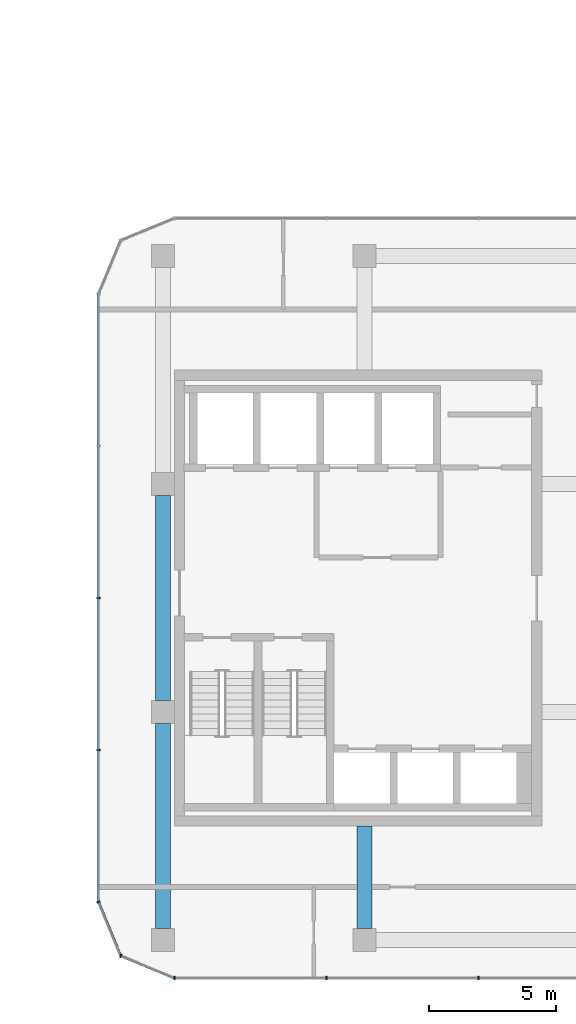
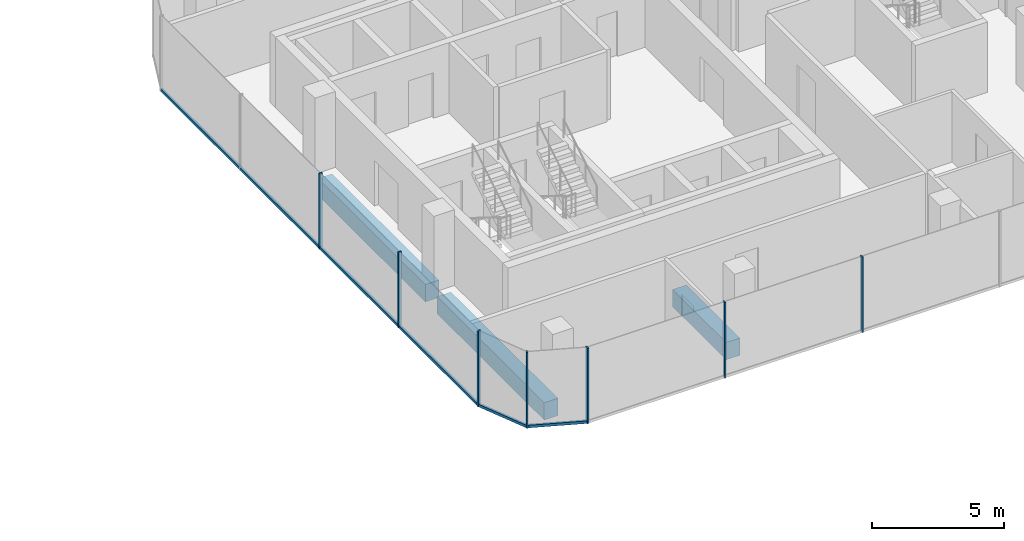
# One storey, part 7 of 23: 10 members, 3 beams, 4 elements without a shape of their own.
"""IFC4 building model written with IfcOpenShell, lengths in metres."""

from ifc_helpers import new_model, si_unit, direction, frame, origin, origin_2d, place, context, subcontext, project, spatial, rectangle, extrude, material, layer, layer_set, material_profile, profile_set, type_object, element, aggregate, save


model = new_model("IFC4")

# Units and contexts
model_context = context("Model", 3, precision=1e-05, world=origin(), true_north=direction((0.0, 1.0)))
body_context = subcontext(model_context, "Body", "Model", "MODEL_VIEW")
ifc_project = project(units=[si_unit("LENGTHUNIT", "METRE"), si_unit("AREAUNIT", "SQUARE_METRE"), si_unit("VOLUMEUNIT", "CUBIC_METRE"), si_unit("PLANEANGLEUNIT", "RADIAN"), si_unit("MASSUNIT", "GRAM", prefix="KILO")], contexts=[model_context])

# Site, building, storey
site_placement = place(None, origin())
site = spatial("IfcSite", under=ifc_project, at=site_placement, CompositionType="ELEMENT")
building_placement = place(site_placement, origin())
building = spatial("IfcBuilding", under=site, at=building_placement, Name="Plateau Cross Towers", CompositionType="ELEMENT")
storey_placement = place(building_placement, frame((0.0, 0.0, 92.300048828125)))
storey = spatial("IfcBuildingStorey", under=building, at=storey_placement, Name="L23", CompositionType="ELEMENT", Elevation=92.300048828125)

# Beam
ifc_material_1 = material(Name="Concrete C60/75", Category="concrete")
ifc_material_profile_1 = material_profile(ifc_material_1, rectangle(XDim=0.60009765625, YDim=0.800048828125, at=origin_2d()), Name="RC 600x800")
ifc_profile_set_1 = profile_set([ifc_material_profile_1], Name="Concrete C60/75")
beam_type_1 = type_object("IfcBeamType", Name="Core beam RC 600x800", PredefinedType="BEAM", material=ifc_profile_set_1)
beam_placement = place(storey_placement, frame((82.5, 0.0, -0.650146484375), z_axis=(0.0, -1.0, 0.0), x_axis=(1.0, 0.0, 0.0)))
element("IfcBeam", 1, at=beam_placement, inside=storey, type_object=beam_type_1, Name="B-CB01@L23", PredefinedType="BEAM", context=body_context, shape_type="SweptSolid", body=[
    extrude(rectangle(XDim=0.60009765625, YDim=0.800048828125, at=origin_2d()), origin(), (0.0, 0.0, 1.0), 4.050048828125),
])

# Curtain wall, members
ifc_material_2 = material(Name="Dark low-iron glass", Category="glass")
ifc_layer = layer(ifc_material_2, 0.239990234375)
ifc_layer_set = layer_set([ifc_layer], Name="Dark low-iron glass")
curtain_wall_type = type_object("IfcCurtainWallType", Name="Curtain wall office unitised CW-F", PredefinedType="NOTDEFINED", material=ifc_layer_set)
curtain_wall_1_placement = place(storey_placement, origin())
curtain_wall_1 = element("IfcCurtainWall", 2, at=curtain_wall_1_placement, inside=storey, type_object=curtain_wall_type, Name="ENV/B/L23/B750_-60", PredefinedType="NOTDEFINED")
ifc_material_3 = material(Name="Black anodised aluminium", Category="aluminium")
ifc_material_profile_2 = material_profile(ifc_material_3, rectangle(XDim=0.06005859375, YDim=0.139892578125, at=origin_2d()), Name="MULLION 60x140")
ifc_profile_set_2 = profile_set([ifc_material_profile_2], Name="Black anodised aluminium")
member_type_1 = type_object("IfcMemberType", Name="Mullion 60x140 office unitised", PredefinedType="MULLION", material=ifc_profile_set_2)
member_1_placement = place(storey_placement, frame((75.0, -6.0, -0.25), z_axis=(0.0, 0.0, 1.0), x_axis=(1.0, 0.0, 0.0)))
member_1 = element("IfcMember", 3, at=member_1_placement, type_object=member_type_1, Name="CW-F mullion 1", PredefinedType="MULLION", context=body_context, shape_type="SweptSolid", body=[
    extrude(rectangle(XDim=0.06005859375, YDim=0.139892578125, at=origin_2d()), origin(), (0.0, 0.0, 1.0), 3.5),
])
member_2_placement = place(storey_placement, frame((81.0, -6.0, -0.25), z_axis=(0.0, 0.0, 1.0), x_axis=(1.0, 0.0, 0.0)))
member_2 = element("IfcMember", 4, at=member_2_placement, type_object=member_type_1, Name="CW-F mullion 2", PredefinedType="MULLION", context=body_context, shape_type="SweptSolid", body=[
    extrude(rectangle(XDim=0.06005859375, YDim=0.139892578125, at=origin_2d()), origin(), (0.0, 0.0, 1.0), 3.5),
])
member_3_placement = place(storey_placement, frame((87.0, -6.0, -0.25), z_axis=(0.0, 0.0, 1.0), x_axis=(1.0, 0.0, 0.0)))
member_3 = element("IfcMember", 5, at=member_3_placement, type_object=member_type_1, Name="CW-F mullion 3", PredefinedType="MULLION", context=body_context, shape_type="SweptSolid", body=[
    extrude(rectangle(XDim=0.06005859375, YDim=0.139892578125, at=origin_2d()), origin(), (0.0, 0.0, 1.0), 3.5),
])
aggregate(curtain_wall_1, [member_1, member_2, member_3])

curtain_wall_2_placement = place(storey_placement, origin())
curtain_wall_2 = element("IfcCurtainWall", 6, at=curtain_wall_2_placement, inside=storey, type_object=curtain_wall_type, Name="ENV/B/L23/B720_210", PredefinedType="NOTDEFINED")
member_4_placement = place(storey_placement, frame((72.0, 9.0, -0.25), z_axis=(0.0, 0.0, 1.0), x_axis=(0.0, -1.0, 0.0)))
member_4 = element("IfcMember", 7, at=member_4_placement, type_object=member_type_1, Name="CW-F mullion 3", PredefinedType="MULLION", context=body_context, shape_type="SweptSolid", body=[
    extrude(rectangle(XDim=0.06005859375, YDim=0.139892578125, at=origin_2d()), origin(), (0.0, 0.0, 1.0), 3.5),
])
member_5_placement = place(storey_placement, frame((72.0, 3.0, -0.25), z_axis=(0.0, 0.0, 1.0), x_axis=(0.0, -1.0, 0.0)))
member_5 = element("IfcMember", 8, at=member_5_placement, type_object=member_type_1, Name="CW-F mullion 4", PredefinedType="MULLION", context=body_context, shape_type="SweptSolid", body=[
    extrude(rectangle(XDim=0.06005859375, YDim=0.139892578125, at=origin_2d()), origin(), (0.0, 0.0, 1.0), 3.5),
])

# Curtain wall, member
curtain_wall_3_placement = place(storey_placement, origin())
curtain_wall_3 = element("IfcCurtainWall", 9, at=curtain_wall_3_placement, inside=storey, type_object=curtain_wall_type, Name="ENV/B/L23/B720_-30", PredefinedType="NOTDEFINED")
member_6_placement = place(storey_placement, frame((72.0, -3.0, -0.25), z_axis=(0.0, 0.0, 1.0), x_axis=(0.382683612978, -0.923879457699, 0.0)))
member_6 = element("IfcMember", 10, at=member_6_placement, type_object=member_type_1, Name="CW-F mullion 1", PredefinedType="MULLION", context=body_context, shape_type="SweptSolid", body=[
    extrude(rectangle(XDim=0.06005859375, YDim=0.139892578125, at=origin_2d()), origin(), (0.0, 0.0, 1.0), 3.5),
])

curtain_wall_4_placement = place(storey_placement, origin())
curtain_wall_4 = element("IfcCurtainWall", 11, at=curtain_wall_4_placement, inside=storey, type_object=curtain_wall_type, Name="ENV/B/L23/B729_-51", PredefinedType="NOTDEFINED")
member_7_placement = place(storey_placement, frame((72.878662109375, -5.121337890625, -0.25), z_axis=(0.0, 0.0, 1.0), x_axis=(0.923879457699, -0.382683612978, 0.0)))
member_7 = element("IfcMember", 12, at=member_7_placement, type_object=member_type_1, Name="CW-F mullion 1", PredefinedType="MULLION", context=body_context, shape_type="SweptSolid", body=[
    extrude(rectangle(XDim=0.06005859375, YDim=0.139892578125, at=origin_2d()), origin(), (0.0, 0.0, 1.0), 3.5),
])

# Beams
ifc_material_profile_3 = material_profile(ifc_material_1, rectangle(XDim=0.60009765625, YDim=0.800048828125, at=origin_2d()), Name="RC 600x800")
ifc_profile_set_3 = profile_set([ifc_material_profile_3], Name="Concrete C60/75")
beam_type_2 = type_object("IfcBeamType", Name="Ring beam RC 600x800", PredefinedType="BEAM", material=ifc_profile_set_3)
for number, where, z_axis, x_axis, name in (
    (13, (74.550048828125, 13.050048828125, -0.650146484375), (0.0, -1.0, 0.0), (1.0, 0.0, 0.0), "B-RB09@L23"),
    (14, (74.550048828125, 4.050048828125, -0.650146484375), (0.0, -1.0, 0.0), (1.0, 0.0, 0.0), "B-RB10@L23"),
):
    element("IfcBeam", number, at=place(storey_placement, frame(where, z_axis=z_axis, x_axis=x_axis)), inside=storey, type_object=beam_type_2, Name=name, PredefinedType="BEAM", context=body_context, shape_type="SweptSolid", body=[
        extrude(rectangle(XDim=0.60009765625, YDim=0.800048828125, at=origin_2d()), origin(), (0.0, 0.0, 1.0), 8.10009765625),
    ])

# Member
ifc_material_profile_4 = material_profile(ifc_material_3, rectangle(XDim=0.10009765625, YDim=0.1201171875, at=origin_2d()), Name="TRANSOM 100x120")
ifc_profile_set_4 = profile_set([ifc_material_profile_4], Name="Black anodised aluminium")
member_type_2 = type_object("IfcMemberType", Name="Transom 100x120 office unitised", PredefinedType="USERDEFINED", material=ifc_profile_set_4)
member_8_placement = place(storey_placement, frame((72.0, 21.0, -0.18994140625), z_axis=(0.0, -1.0, 0.0), x_axis=(1.0, 0.0, 0.0)))
member_8 = element("IfcMember", 15, at=member_8_placement, type_object=member_type_2, Name="CW-F transom", ObjectType="TRANSOM", PredefinedType="USERDEFINED", context=body_context, shape_type="SweptSolid", body=[
    extrude(rectangle(XDim=0.10009765625, YDim=0.1201171875, at=origin_2d()), origin(), (0.0, 0.0, 1.0), 24.0),
])

aggregate(curtain_wall_2, [member_4, member_5, member_8])

member_9_placement = place(storey_placement, frame((72.0, -3.0, -0.18994140625), z_axis=(0.382674207535, -0.923883353507, 0.0), x_axis=(0.923883353507, 0.382674207535, 0.0)))
member_9 = element("IfcMember", 16, at=member_9_placement, type_object=member_type_2, Name="CW-F transom", ObjectType="TRANSOM", PredefinedType="USERDEFINED", context=body_context, shape_type="SweptSolid", body=[
    extrude(rectangle(XDim=0.10009765625, YDim=0.1201171875, at=origin_2d()), origin(), (0.0, 0.0, 1.0), 2.296142578125),
])

aggregate(curtain_wall_3, [member_6, member_9])

member_10_placement = place(storey_placement, frame((72.878662109375, -5.121337890625, -0.18994140625), z_axis=(0.923883353507, -0.382674207535, 0.0), x_axis=(0.382674207535, 0.923883353507, 0.0)))
member_10 = element("IfcMember", 17, at=member_10_placement, type_object=member_type_2, Name="CW-F transom", ObjectType="TRANSOM", PredefinedType="USERDEFINED", context=body_context, shape_type="SweptSolid", body=[
    extrude(rectangle(XDim=0.10009765625, YDim=0.1201171875, at=origin_2d()), origin(), (0.0, 0.0, 1.0), 2.296142578125),
])

aggregate(curtain_wall_4, [member_7, member_10])

save(model, "model.ifc")
